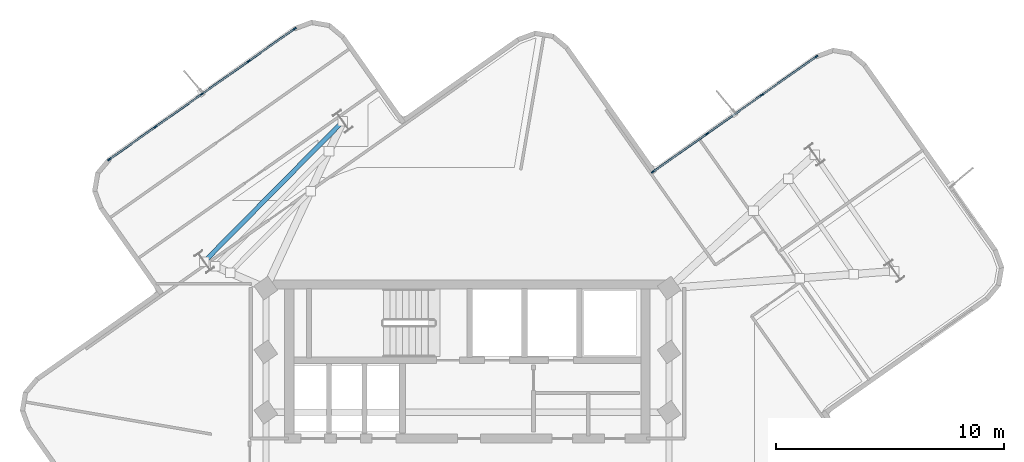
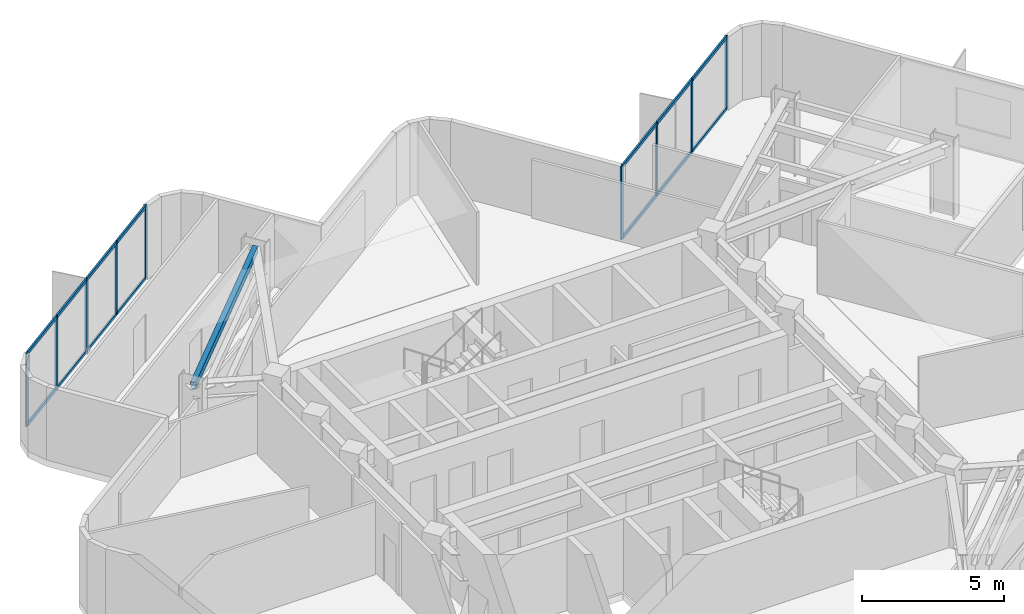
# One storey, part 2 of 8: 23 members, 1 beam, 2 elements without a shape of their own.
"""IFC4 building model written with IfcOpenShell, lengths in metres."""

from ifc_helpers import new_model, si_unit, direction, frame, origin, origin_2d, place, context, subcontext, project, spatial, rectangle, hollow_rectangle, extrude, material, layer, layer_set, material_profile, profile_set, type_object, element, aggregate, save


model = new_model("IFC4")

# Units and contexts
model_context = context("Model", 3, precision=1e-05, world=origin(), true_north=direction((0.0, 1.0)))
body_context = subcontext(model_context, "Body", "Model", "MODEL_VIEW")
ifc_project = project(units=[si_unit("LENGTHUNIT", "METRE"), si_unit("AREAUNIT", "SQUARE_METRE"), si_unit("VOLUMEUNIT", "CUBIC_METRE"), si_unit("PLANEANGLEUNIT", "RADIAN"), si_unit("MASSUNIT", "GRAM", prefix="KILO")], contexts=[model_context])

# Site, building, storey
site_placement = place(None, origin())
site = spatial("IfcSite", under=ifc_project, at=site_placement, CompositionType="ELEMENT")
building_placement = place(site_placement, origin())
building = spatial("IfcBuilding", under=site, at=building_placement, Name="Solmarez Civic Tower", CompositionType="ELEMENT")
storey_placement = place(building_placement, frame((0.0, 0.0, 225.719970703125)))
storey = spatial("IfcBuildingStorey", under=building, at=storey_placement, Name="L60", CompositionType="ELEMENT", Elevation=225.719970703125)

# Beam
ifc_material_1 = material(Name="Steel S355", Category="steel")
ifc_material_profile_1 = material_profile(ifc_material_1, hollow_rectangle(XDim=0.199951171875, YDim=0.300048828125, WallThickness=0.011962890625, at=origin_2d()), Name="HSS300X200X12")
ifc_profile_set_1 = profile_set([ifc_material_profile_1], Name="Steel S355")
beam_type = type_object("IfcBeamType", Name="BM-JS-HSS300X200", PredefinedType="JOIST", material=ifc_profile_set_1)
beam_placement = place(storey_placement, frame((-5.468017578125, 15.6708984375, 2.989990234375), z_axis=(-0.702766092364, -0.711420986072, 0.0), x_axis=(0.711420986072, -0.702766092364, 0.0)))
element("IfcBeam", 1, at=beam_placement, inside=storey, type_object=beam_type, Name="L60 Secondary Floor Joist BM-L60-NA-T1", PredefinedType="JOIST", context=body_context, shape_type="SweptSolid", body=[
    extrude(hollow_rectangle(XDim=0.199951171875, YDim=0.300048828125, WallThickness=0.011962890625, at=origin_2d()), origin(), (0.0, 0.0, 1.0), 8.659912109375),
])

# Curtain wall, members
ifc_material_2 = material(Name="Bronze Anodised Aluminium EN AW-6063 T6", Category="aluminium")
ifc_layer = layer(ifc_material_2, 0.1650390625)
ifc_layer_set = layer_set([ifc_layer], Name="Bronze Anodised Aluminium EN AW-6063 T6")
curtain_wall_type = type_object("IfcCurtainWallType", Name="CW-SYS-4", PredefinedType="NOTDEFINED", material=ifc_layer_set)
curtain_wall_1_placement = place(storey_placement, origin())
curtain_wall_1 = element("IfcCurtainWall", 2, at=curtain_wall_1_placement, inside=storey, type_object=curtain_wall_type, Name="L60 Stick-Built Curtain Wall 1", PredefinedType="NOTDEFINED")
ifc_material_profile_2 = material_profile(ifc_material_2, rectangle(XDim=0.06005859375, YDim=0.14990234375, at=origin_2d()), Name="CWM-60X150")
ifc_profile_set_2 = profile_set([ifc_material_profile_2], Name="Bronze Anodised Aluminium EN AW-6063 T6")
member_type_1 = type_object("IfcMemberType", Name="CWM-TYPE-4", PredefinedType="MULLION", material=ifc_profile_set_2)
member_1_placement = place(storey_placement, frame((-15.723388671875, 13.995361328125, 0.0), z_axis=(0.0, 0.0, 1.0), x_axis=(-0.576405036145, 0.817164141594, 0.0)))
member_1 = element("IfcMember", 3, at=member_1_placement, type_object=member_type_1, Name="CWS4 mullion 1", PredefinedType="MULLION", context=body_context, shape_type="SweptSolid", body=[
    extrude(rectangle(XDim=0.06005859375, YDim=0.14990234375, at=origin_2d()), origin(), (0.0, 0.0, 1.0), 3.14013671875),
])
member_2_placement = place(storey_placement, frame((-13.700439453125, 15.42236328125, 0.0), z_axis=(0.0, 0.0, 1.0), x_axis=(-0.576405036145, 0.817164141594, 0.0)))
member_2 = element("IfcMember", 4, at=member_2_placement, type_object=member_type_1, Name="CWS4 mullion 2", PredefinedType="MULLION", context=body_context, shape_type="SweptSolid", body=[
    extrude(rectangle(XDim=0.06005859375, YDim=0.14990234375, at=origin_2d()), origin(), (0.0, 0.0, 1.0), 3.14013671875),
])
member_3_placement = place(storey_placement, frame((-11.653076171875, 16.866455078125, 0.0), z_axis=(0.0, 0.0, 1.0), x_axis=(-0.576405036145, 0.817164141594, 0.0)))
member_3 = element("IfcMember", 5, at=member_3_placement, type_object=member_type_1, Name="CWS4 mullion 3", PredefinedType="MULLION", context=body_context, shape_type="SweptSolid", body=[
    extrude(rectangle(XDim=0.06005859375, YDim=0.14990234375, at=origin_2d()), origin(), (0.0, 0.0, 1.0), 3.14013671875),
])
member_4_placement = place(storey_placement, frame((-9.60546875, 18.310791015625, 0.0), z_axis=(0.0, 0.0, 1.0), x_axis=(-0.576405036145, 0.817164141594, 0.0)))
member_4 = element("IfcMember", 6, at=member_4_placement, type_object=member_type_1, Name="CWS4 mullion 4", PredefinedType="MULLION", context=body_context, shape_type="SweptSolid", body=[
    extrude(rectangle(XDim=0.06005859375, YDim=0.14990234375, at=origin_2d()), origin(), (0.0, 0.0, 1.0), 3.14013671875),
])
member_5_placement = place(storey_placement, frame((-7.58251953125, 19.73779296875, 0.0), z_axis=(0.0, 0.0, 1.0), x_axis=(-0.576405036145, 0.817164141594, 0.0)))
member_5 = element("IfcMember", 7, at=member_5_placement, type_object=member_type_1, Name="CWS4 mullion 5", PredefinedType="MULLION", context=body_context, shape_type="SweptSolid", body=[
    extrude(rectangle(XDim=0.06005859375, YDim=0.14990234375, at=origin_2d()), origin(), (0.0, 0.0, 1.0), 3.14013671875),
])

curtain_wall_2_placement = place(storey_placement, origin())
curtain_wall_2 = element("IfcCurtainWall", 8, at=curtain_wall_2_placement, inside=storey, type_object=curtain_wall_type, Name="L60 Stick-Built Curtain Wall 2", PredefinedType="NOTDEFINED")
member_6_placement = place(storey_placement, frame((8.135498046875, 13.44921875, 0.0), z_axis=(0.0, 0.0, 1.0), x_axis=(-0.576434474431, 0.817143375845, 0.0)))
member_6 = element("IfcMember", 9, at=member_6_placement, type_object=member_type_1, Name="CWS4 mullion 1", PredefinedType="MULLION", context=body_context, shape_type="SweptSolid", body=[
    extrude(rectangle(XDim=0.06005859375, YDim=0.14990234375, at=origin_2d()), origin(), (0.0, 0.0, 1.0), 3.14013671875),
])
member_7_placement = place(storey_placement, frame((10.51904296875, 15.130615234375, 0.0), z_axis=(0.0, 0.0, 1.0), x_axis=(-0.576434474431, 0.817143375845, 0.0)))
member_7 = element("IfcMember", 10, at=member_7_placement, type_object=member_type_1, Name="CWS4 mullion 2", PredefinedType="MULLION", context=body_context, shape_type="SweptSolid", body=[
    extrude(rectangle(XDim=0.06005859375, YDim=0.14990234375, at=origin_2d()), origin(), (0.0, 0.0, 1.0), 3.14013671875),
])
member_8_placement = place(storey_placement, frame((12.927001953125, 16.829345703125, 0.0), z_axis=(0.0, 0.0, 1.0), x_axis=(-0.576434474431, 0.817143375845, 0.0)))
member_8 = element("IfcMember", 11, at=member_8_placement, type_object=member_type_1, Name="CWS4 mullion 3", PredefinedType="MULLION", context=body_context, shape_type="SweptSolid", body=[
    extrude(rectangle(XDim=0.06005859375, YDim=0.14990234375, at=origin_2d()), origin(), (0.0, 0.0, 1.0), 3.14013671875),
])
member_9_placement = place(storey_placement, frame((15.310546875, 18.5107421875, 0.0), z_axis=(0.0, 0.0, 1.0), x_axis=(-0.576434474431, 0.817143375845, 0.0)))
member_9 = element("IfcMember", 12, at=member_9_placement, type_object=member_type_1, Name="CWS4 mullion 4", PredefinedType="MULLION", context=body_context, shape_type="SweptSolid", body=[
    extrude(rectangle(XDim=0.06005859375, YDim=0.14990234375, at=origin_2d()), origin(), (0.0, 0.0, 1.0), 3.14013671875),
])

# Member
ifc_material_profile_3 = material_profile(ifc_material_2, rectangle(XDim=0.070068359375, YDim=0.139892578125, at=origin_2d()), Name="CWT-70X140")
ifc_profile_set_3 = profile_set([ifc_material_profile_3], Name="Bronze Anodised Aluminium EN AW-6063 T6")
member_type_2 = type_object("IfcMemberType", Name="CWT-TYPE-1", PredefinedType="USERDEFINED", material=ifc_profile_set_3)
member_10_placement = place(storey_placement, frame((-15.698974609375, 14.0126953125, 0.034912109375), z_axis=(0.817161089897, 0.576409362484, 0.0), x_axis=(-0.576409362484, 0.817161089897, 0.0)))
member_10 = element("IfcMember", 13, at=member_10_placement, type_object=member_type_2, Name="CWS4 transom 1.1", ObjectType="TRANSOM", PredefinedType="USERDEFINED", context=body_context, shape_type="SweptSolid", body=[
    extrude(rectangle(XDim=0.070068359375, YDim=0.139892578125, at=origin_2d()), origin(), (0.0, 0.0, 1.0), 2.41552734375),
])

member_11_placement = place(storey_placement, frame((-15.698974609375, 14.0126953125, 3.10498046875), z_axis=(0.817161089897, 0.576409362484, 0.0), x_axis=(-0.576409362484, 0.817161089897, 0.0)))
member_11 = element("IfcMember", 14, at=member_11_placement, type_object=member_type_2, Name="CWS4 transom 1.2", ObjectType="TRANSOM", PredefinedType="USERDEFINED", context=body_context, shape_type="SweptSolid", body=[
    extrude(rectangle(XDim=0.070068359375, YDim=0.139892578125, at=origin_2d()), origin(), (0.0, 0.0, 1.0), 2.41552734375),
])

member_12_placement = place(storey_placement, frame((-13.676025390625, 15.439453125, 0.034912109375), z_axis=(0.817172534999, 0.576393136707, 0.0), x_axis=(-0.576393136707, 0.817172534999, 0.0)))
member_12 = element("IfcMember", 15, at=member_12_placement, type_object=member_type_2, Name="CWS4 transom 2.1", ObjectType="TRANSOM", PredefinedType="USERDEFINED", context=body_context, shape_type="SweptSolid", body=[
    extrude(rectangle(XDim=0.070068359375, YDim=0.139892578125, at=origin_2d()), origin(), (0.0, 0.0, 1.0), 2.445556640625),
])

member_13_placement = place(storey_placement, frame((-13.676025390625, 15.439453125, 3.10498046875), z_axis=(0.817172534999, 0.576393136707, 0.0), x_axis=(-0.576393136707, 0.817172534999, 0.0)))
member_13 = element("IfcMember", 16, at=member_13_placement, type_object=member_type_2, Name="CWS4 transom 2.2", ObjectType="TRANSOM", PredefinedType="USERDEFINED", context=body_context, shape_type="SweptSolid", body=[
    extrude(rectangle(XDim=0.070068359375, YDim=0.139892578125, at=origin_2d()), origin(), (0.0, 0.0, 1.0), 2.445556640625),
])

member_14_placement = place(storey_placement, frame((-11.62841796875, 16.8837890625, 0.034912109375), z_axis=(0.817139365969, 0.576440158718, 0.0), x_axis=(-0.576440158718, 0.817139365969, 0.0)))
member_14 = element("IfcMember", 17, at=member_14_placement, type_object=member_type_2, Name="CWS4 transom 3.1", ObjectType="TRANSOM", PredefinedType="USERDEFINED", context=body_context, shape_type="SweptSolid", body=[
    extrude(rectangle(XDim=0.070068359375, YDim=0.139892578125, at=origin_2d()), origin(), (0.0, 0.0, 1.0), 2.445556640625),
])

member_15_placement = place(storey_placement, frame((-11.62841796875, 16.8837890625, 3.10498046875), z_axis=(0.817139365969, 0.576440158718, 0.0), x_axis=(-0.576440158718, 0.817139365969, 0.0)))
member_15 = element("IfcMember", 18, at=member_15_placement, type_object=member_type_2, Name="CWS4 transom 3.2", ObjectType="TRANSOM", PredefinedType="USERDEFINED", context=body_context, shape_type="SweptSolid", body=[
    extrude(rectangle(XDim=0.070068359375, YDim=0.139892578125, at=origin_2d()), origin(), (0.0, 0.0, 1.0), 2.445556640625),
])

member_16_placement = place(storey_placement, frame((-9.5810546875, 18.328125, 0.034912109375), z_axis=(0.817194666434, 0.576361758926, 0.0), x_axis=(-0.576361758926, 0.817194666434, 0.0)))
member_16 = element("IfcMember", 19, at=member_16_placement, type_object=member_type_2, Name="CWS4 transom 4.1", ObjectType="TRANSOM", PredefinedType="USERDEFINED", context=body_context, shape_type="SweptSolid", body=[
    extrude(rectangle(XDim=0.070068359375, YDim=0.139892578125, at=origin_2d()), origin(), (0.0, 0.0, 1.0), 2.415771484375),
])

member_17_placement = place(storey_placement, frame((-9.5810546875, 18.328125, 3.10498046875), z_axis=(0.817194666434, 0.576361758926, 0.0), x_axis=(-0.576361758926, 0.817194666434, 0.0)))
member_17 = element("IfcMember", 20, at=member_17_placement, type_object=member_type_2, Name="CWS4 transom 4.2", ObjectType="TRANSOM", PredefinedType="USERDEFINED", context=body_context, shape_type="SweptSolid", body=[
    extrude(rectangle(XDim=0.070068359375, YDim=0.139892578125, at=origin_2d()), origin(), (0.0, 0.0, 1.0), 2.415771484375),
])

aggregate(curtain_wall_1, [member_1, member_2, member_3, member_4, member_5, member_10, member_11, member_12, member_13, member_14, member_15, member_16, member_17])

member_18_placement = place(storey_placement, frame((8.159912109375, 13.466552734375, 0.034912109375), z_axis=(0.817154921264, 0.576418107501, 0.0), x_axis=(-0.576418107501, 0.817154921264, 0.0)))
member_18 = element("IfcMember", 21, at=member_18_placement, type_object=member_type_2, Name="CWS4 transom 1.1", ObjectType="TRANSOM", PredefinedType="USERDEFINED", context=body_context, shape_type="SweptSolid", body=[
    extrude(rectangle(XDim=0.070068359375, YDim=0.139892578125, at=origin_2d()), origin(), (0.0, 0.0, 1.0), 2.85693359375),
])

member_19_placement = place(storey_placement, frame((8.159912109375, 13.466552734375, 3.10498046875), z_axis=(0.817154921264, 0.576418107501, 0.0), x_axis=(-0.576418107501, 0.817154921264, 0.0)))
member_19 = element("IfcMember", 22, at=member_19_placement, type_object=member_type_2, Name="CWS4 transom 1.2", ObjectType="TRANSOM", PredefinedType="USERDEFINED", context=body_context, shape_type="SweptSolid", body=[
    extrude(rectangle(XDim=0.070068359375, YDim=0.139892578125, at=origin_2d()), origin(), (0.0, 0.0, 1.0), 2.85693359375),
])

member_20_placement = place(storey_placement, frame((10.54345703125, 15.14794921875, 0.034912109375), z_axis=(0.817164681447, 0.5764042708, 0.0), x_axis=(-0.5764042708, 0.817164681447, 0.0)))
member_20 = element("IfcMember", 23, at=member_20_placement, type_object=member_type_2, Name="CWS4 transom 2.1", ObjectType="TRANSOM", PredefinedType="USERDEFINED", context=body_context, shape_type="SweptSolid", body=[
    extrude(rectangle(XDim=0.070068359375, YDim=0.139892578125, at=origin_2d()), origin(), (0.0, 0.0, 1.0), 2.886962890625),
])

member_21_placement = place(storey_placement, frame((10.54345703125, 15.14794921875, 3.10498046875), z_axis=(0.817164681447, 0.5764042708, 0.0), x_axis=(-0.5764042708, 0.817164681447, 0.0)))
member_21 = element("IfcMember", 24, at=member_21_placement, type_object=member_type_2, Name="CWS4 transom 2.2", ObjectType="TRANSOM", PredefinedType="USERDEFINED", context=body_context, shape_type="SweptSolid", body=[
    extrude(rectangle(XDim=0.070068359375, YDim=0.139892578125, at=origin_2d()), origin(), (0.0, 0.0, 1.0), 2.886962890625),
])

member_22_placement = place(storey_placement, frame((12.951416015625, 16.8466796875, 0.034912109375), z_axis=(0.817154921264, 0.576418107501, 0.0), x_axis=(-0.576418107501, 0.817154921264, 0.0)))
member_22 = element("IfcMember", 25, at=member_22_placement, type_object=member_type_2, Name="CWS4 transom 3.1", ObjectType="TRANSOM", PredefinedType="USERDEFINED", context=body_context, shape_type="SweptSolid", body=[
    extrude(rectangle(XDim=0.070068359375, YDim=0.139892578125, at=origin_2d()), origin(), (0.0, 0.0, 1.0), 2.85693359375),
])

member_23_placement = place(storey_placement, frame((12.951416015625, 16.8466796875, 3.10498046875), z_axis=(0.817154921264, 0.576418107501, 0.0), x_axis=(-0.576418107501, 0.817154921264, 0.0)))
member_23 = element("IfcMember", 26, at=member_23_placement, type_object=member_type_2, Name="CWS4 transom 3.2", ObjectType="TRANSOM", PredefinedType="USERDEFINED", context=body_context, shape_type="SweptSolid", body=[
    extrude(rectangle(XDim=0.070068359375, YDim=0.139892578125, at=origin_2d()), origin(), (0.0, 0.0, 1.0), 2.85693359375),
])

aggregate(curtain_wall_2, [member_6, member_7, member_8, member_9, member_18, member_19, member_20, member_21, member_22, member_23])

save(model, "model.ifc")
